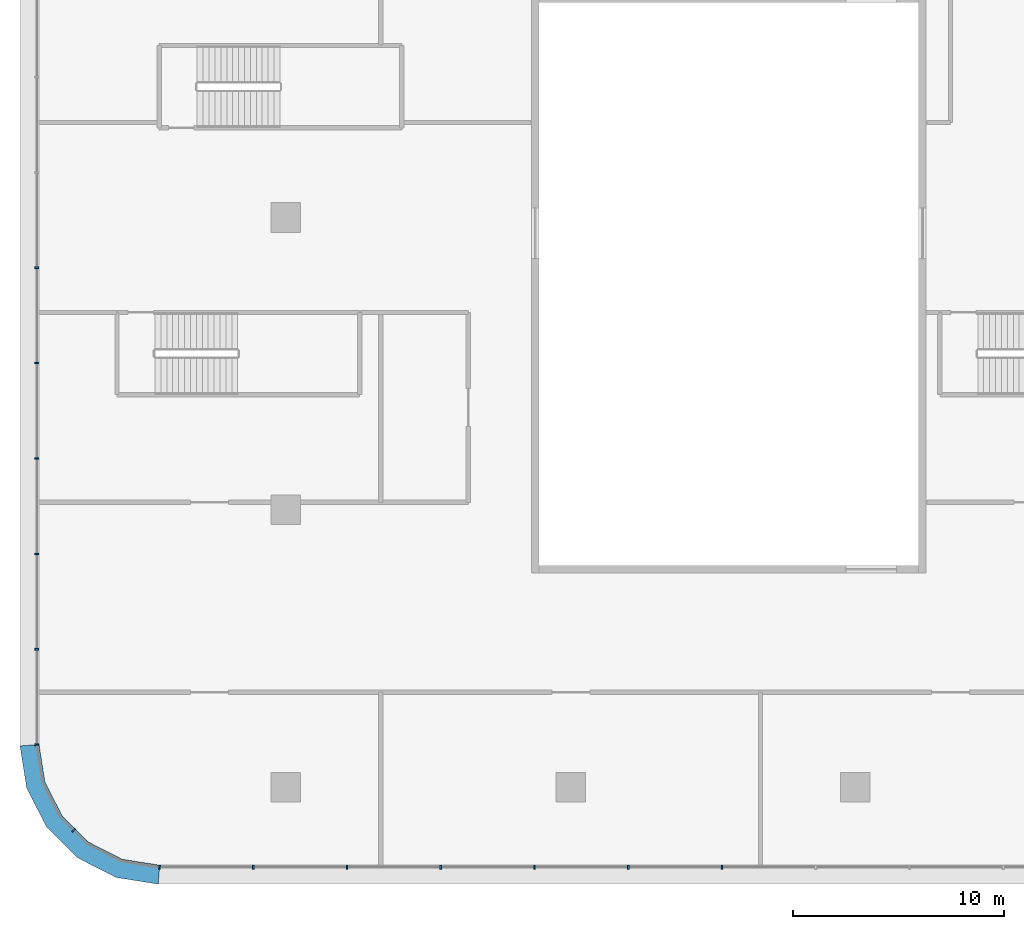
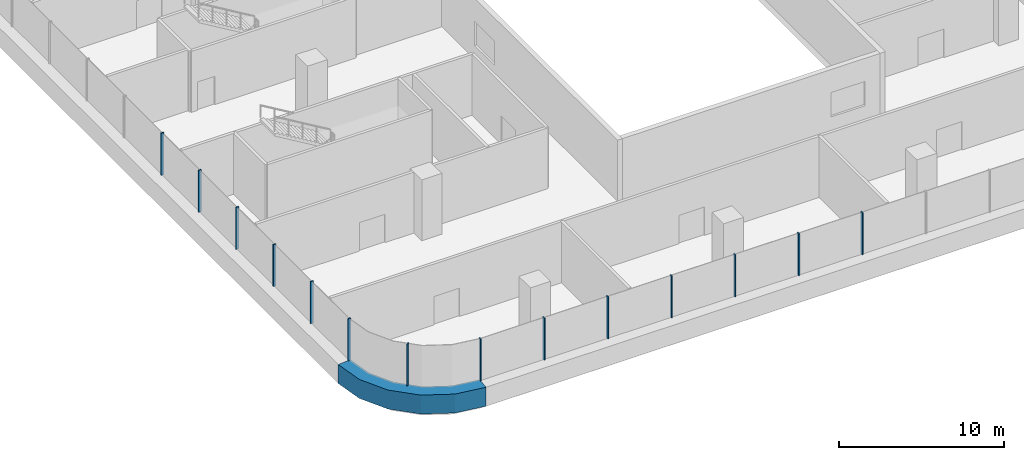
# One storey, part 2 of 44: 15 members, 3 elements without a shape of their own.
"""IFC4 building model written with IfcOpenShell, lengths in metres."""

from ifc_helpers import new_model, si_unit, direction, frame, origin, origin_2d, place, context, subcontext, project, spatial, polyline, rectangle, outline, extrude, material, layer, layer_set, material_profile, profile_set, type_object, element, aggregate, save


model = new_model("IFC4")

# Units and contexts
model_context = context("Model", 3, precision=1e-05, world=origin(), true_north=direction((0.0, 1.0)))
body_context = subcontext(model_context, "Body", "Model", "MODEL_VIEW")
ifc_project = project(units=[si_unit("LENGTHUNIT", "METRE"), si_unit("AREAUNIT", "SQUARE_METRE"), si_unit("VOLUMEUNIT", "CUBIC_METRE"), si_unit("PLANEANGLEUNIT", "RADIAN"), si_unit("MASSUNIT", "GRAM", prefix="KILO")], contexts=[model_context])

# Site, building, storey
site_placement = place(None, origin())
site = spatial("IfcSite", under=ifc_project, at=site_placement, CompositionType="ELEMENT")
building_placement = place(site_placement, origin())
building = spatial("IfcBuilding", under=site, at=building_placement, Name="Tamarind Cross Interchange Tower", CompositionType="ELEMENT")
storey_placement = place(building_placement, frame((0.0, 0.0, 15.0)))
storey = spatial("IfcBuildingStorey", under=building, at=storey_placement, Name="L02", CompositionType="ELEMENT", Elevation=15.0)

# Curtain wall, member
ifc_material_1 = material(Name="Aluminium 6063-T6", Category="aluminium")
ifc_layer = layer(ifc_material_1, 0.199951171875)
ifc_layer_set = layer_set([ifc_layer], Name="Aluminium 6063-T6")
curtain_wall_type = type_object("IfcCurtainWallType", Name="Podium shopfront and station curtain wall", PredefinedType="NOTDEFINED", material=ifc_layer_set)
curtain_wall_1_placement = place(storey_placement, origin())
curtain_wall_1 = element("IfcCurtainWall", 1, at=curtain_wall_1_placement, inside=storey, type_object=curtain_wall_type, Name="CWS-L02-05", PredefinedType="NOTDEFINED")
ifc_material_2 = material(Name="Aluminium and insulated spandrel panel", Category="aluminium")
member_type_1 = type_object("IfcMemberType", Name="Floor-edge blade transom", PredefinedType="USERDEFINED", material=ifc_material_2)
member_1_placement = place(storey_placement, origin())
member_1 = element("IfcMember", 2, at=member_1_placement, type_object=member_type_1, Name="CWT-L02-05", ObjectType="TRANSOM", PredefinedType="USERDEFINED", context=body_context, shape_type="SweptSolid", body=[
    extrude(outline(polyline([(-65.699951171875, -51.976318359375), (-65.41748046875, -53.76025390625), (-64.6083984375, -55.34814453125), (-63.34814453125, -56.6083984375), (-61.76025390625, -57.41748046875), (-59.976318359375, -57.699951171875), (-60.047119140625, -58.60009765625), (-62.041748046875, -58.2841796875), (-63.8837890625, -57.345458984375), (-65.345458984375, -55.8837890625), (-66.2841796875, -54.041748046875), (-66.60009765625, -52.047119140625), (-65.699951171875, -51.976318359375)])), origin(), (0.0, 0.0, 1.0), 1.39990234375),
])

# Curtain wall, members
curtain_wall_2_placement = place(storey_placement, origin())
curtain_wall_2 = element("IfcCurtainWall", 3, at=curtain_wall_2_placement, inside=storey, type_object=curtain_wall_type, Name="CWS-L02-04", PredefinedType="NOTDEFINED")
ifc_material_profile = material_profile(ifc_material_1, rectangle(XDim=0.080078125, YDim=0.199951171875, at=origin_2d()), Name="Mullion CW3")
ifc_profile_set = profile_set([ifc_material_profile], Name="Aluminium 6063-T6")
member_type_2 = type_object("IfcMemberType", Name="Mullion CW3", PredefinedType="MULLION", material=ifc_profile_set)
member_2_placement = place(storey_placement, frame((-65.800048828125, -29.38232421875, 1.39990234375), z_axis=(0.0, 0.0, 1.0), x_axis=(0.0, -1.0, 0.0)))
member_2 = element("IfcMember", 4, at=member_2_placement, type_object=member_type_2, Name="CWM-L02-04-18", PredefinedType="MULLION", context=body_context, shape_type="SweptSolid", body=[
    extrude(rectangle(XDim=0.080078125, YDim=0.199951171875, at=origin_2d()), origin(), (0.0, 0.0, 1.0), 3.10009765625),
])
member_3_placement = place(storey_placement, frame((-65.800048828125, -33.90283203125, 1.39990234375), z_axis=(0.0, 0.0, 1.0), x_axis=(0.0, -1.0, 0.0)))
member_3 = element("IfcMember", 5, at=member_3_placement, type_object=member_type_2, Name="CWM-L02-04-19", PredefinedType="MULLION", context=body_context, shape_type="SweptSolid", body=[
    extrude(rectangle(XDim=0.080078125, YDim=0.199951171875, at=origin_2d()), origin(), (0.0, 0.0, 1.0), 3.10009765625),
])
member_4_placement = place(storey_placement, frame((-65.800048828125, -38.423095703125, 1.39990234375), z_axis=(0.0, 0.0, 1.0), x_axis=(0.0, -1.0, 0.0)))
member_4 = element("IfcMember", 6, at=member_4_placement, type_object=member_type_2, Name="CWM-L02-04-20", PredefinedType="MULLION", context=body_context, shape_type="SweptSolid", body=[
    extrude(rectangle(XDim=0.080078125, YDim=0.199951171875, at=origin_2d()), origin(), (0.0, 0.0, 1.0), 3.10009765625),
])
member_5_placement = place(storey_placement, frame((-65.800048828125, -42.943603515625, 1.39990234375), z_axis=(0.0, 0.0, 1.0), x_axis=(0.0, -1.0, 0.0)))
member_5 = element("IfcMember", 7, at=member_5_placement, type_object=member_type_2, Name="CWM-L02-04-21", PredefinedType="MULLION", context=body_context, shape_type="SweptSolid", body=[
    extrude(rectangle(XDim=0.080078125, YDim=0.199951171875, at=origin_2d()), origin(), (0.0, 0.0, 1.0), 3.10009765625),
])
member_6_placement = place(storey_placement, frame((-65.800048828125, -47.4638671875, 1.39990234375), z_axis=(0.0, 0.0, 1.0), x_axis=(0.0, -1.0, 0.0)))
member_6 = element("IfcMember", 8, at=member_6_placement, type_object=member_type_2, Name="CWM-L02-04-22", PredefinedType="MULLION", context=body_context, shape_type="SweptSolid", body=[
    extrude(rectangle(XDim=0.080078125, YDim=0.199951171875, at=origin_2d()), origin(), (0.0, 0.0, 1.0), 3.10009765625),
])
aggregate(curtain_wall_2, [member_2, member_3, member_4, member_5, member_6])

# Member
member_7_placement = place(storey_placement, frame((-65.800048828125, -51.984375, 1.39990234375), z_axis=(0.0, 0.0, 1.0), x_axis=(0.078459095728, -0.996917333733, 0.0)))
member_7 = element("IfcMember", 9, at=member_7_placement, type_object=member_type_2, Name="CWM-L02-05-00", PredefinedType="MULLION", context=body_context, shape_type="SweptSolid", body=[
    extrude(rectangle(XDim=0.080078125, YDim=0.199951171875, at=origin_2d()), origin(), (0.0, 0.0, 1.0), 3.10009765625),
])

member_8_placement = place(storey_placement, frame((-64.049072265625, -56.049072265625, 1.39990234375), z_axis=(0.0, 0.0, 1.0), x_axis=(0.707106781187, -0.707106781187, 0.0)))
member_8 = element("IfcMember", 10, at=member_8_placement, type_object=member_type_2, Name="CWM-L02-05-01", PredefinedType="MULLION", context=body_context, shape_type="SweptSolid", body=[
    extrude(rectangle(XDim=0.080078125, YDim=0.199951171875, at=origin_2d()), origin(), (0.0, 0.0, 1.0), 3.10009765625),
])

aggregate(curtain_wall_1, [member_7, member_8, member_1])

# Curtain wall, members
curtain_wall_3_placement = place(storey_placement, origin())
curtain_wall_3 = element("IfcCurtainWall", 11, at=curtain_wall_3_placement, inside=storey, type_object=curtain_wall_type, Name="CWS-L02-06", PredefinedType="NOTDEFINED")
member_9_placement = place(storey_placement, frame((-59.984375, -57.800048828125, 1.39990234375), z_axis=(0.0, 0.0, 1.0), x_axis=(0.996917333733, -0.078459095728, 0.0)))
member_9 = element("IfcMember", 12, at=member_9_placement, type_object=member_type_2, Name="CWM-L02-06-00", PredefinedType="MULLION", context=body_context, shape_type="SweptSolid", body=[
    extrude(rectangle(XDim=0.080078125, YDim=0.199951171875, at=origin_2d()), origin(), (0.0, 0.0, 1.0), 3.10009765625),
])
member_10_placement = place(storey_placement, frame((-55.541015625, -57.800048828125, 1.39990234375), z_axis=(0.0, 0.0, 1.0), x_axis=(1.0, 0.0, 0.0)))
member_10 = element("IfcMember", 13, at=member_10_placement, type_object=member_type_2, Name="CWM-L02-06-01", PredefinedType="MULLION", context=body_context, shape_type="SweptSolid", body=[
    extrude(rectangle(XDim=0.080078125, YDim=0.199951171875, at=origin_2d()), origin(), (0.0, 0.0, 1.0), 3.10009765625),
])
member_11_placement = place(storey_placement, frame((-51.09765625, -57.800048828125, 1.39990234375), z_axis=(0.0, 0.0, 1.0), x_axis=(1.0, 0.0, 0.0)))
member_11 = element("IfcMember", 14, at=member_11_placement, type_object=member_type_2, Name="CWM-L02-06-02", PredefinedType="MULLION", context=body_context, shape_type="SweptSolid", body=[
    extrude(rectangle(XDim=0.080078125, YDim=0.199951171875, at=origin_2d()), origin(), (0.0, 0.0, 1.0), 3.10009765625),
])
member_12_placement = place(storey_placement, frame((-46.654541015625, -57.800048828125, 1.39990234375), z_axis=(0.0, 0.0, 1.0), x_axis=(1.0, 0.0, 0.0)))
member_12 = element("IfcMember", 15, at=member_12_placement, type_object=member_type_2, Name="CWM-L02-06-03", PredefinedType="MULLION", context=body_context, shape_type="SweptSolid", body=[
    extrude(rectangle(XDim=0.080078125, YDim=0.199951171875, at=origin_2d()), origin(), (0.0, 0.0, 1.0), 3.10009765625),
])
member_13_placement = place(storey_placement, frame((-42.211181640625, -57.800048828125, 1.39990234375), z_axis=(0.0, 0.0, 1.0), x_axis=(1.0, 0.0, 0.0)))
member_13 = element("IfcMember", 16, at=member_13_placement, type_object=member_type_2, Name="CWM-L02-06-04", PredefinedType="MULLION", context=body_context, shape_type="SweptSolid", body=[
    extrude(rectangle(XDim=0.080078125, YDim=0.199951171875, at=origin_2d()), origin(), (0.0, 0.0, 1.0), 3.10009765625),
])
member_14_placement = place(storey_placement, frame((-37.767822265625, -57.800048828125, 1.39990234375), z_axis=(0.0, 0.0, 1.0), x_axis=(1.0, 0.0, 0.0)))
member_14 = element("IfcMember", 17, at=member_14_placement, type_object=member_type_2, Name="CWM-L02-06-05", PredefinedType="MULLION", context=body_context, shape_type="SweptSolid", body=[
    extrude(rectangle(XDim=0.080078125, YDim=0.199951171875, at=origin_2d()), origin(), (0.0, 0.0, 1.0), 3.10009765625),
])
member_15_placement = place(storey_placement, frame((-33.32470703125, -57.800048828125, 1.39990234375), z_axis=(0.0, 0.0, 1.0), x_axis=(1.0, 0.0, 0.0)))
member_15 = element("IfcMember", 18, at=member_15_placement, type_object=member_type_2, Name="CWM-L02-06-06", PredefinedType="MULLION", context=body_context, shape_type="SweptSolid", body=[
    extrude(rectangle(XDim=0.080078125, YDim=0.199951171875, at=origin_2d()), origin(), (0.0, 0.0, 1.0), 3.10009765625),
])
aggregate(curtain_wall_3, [member_9, member_10, member_11, member_12, member_13, member_14, member_15])

save(model, "model.ifc")
